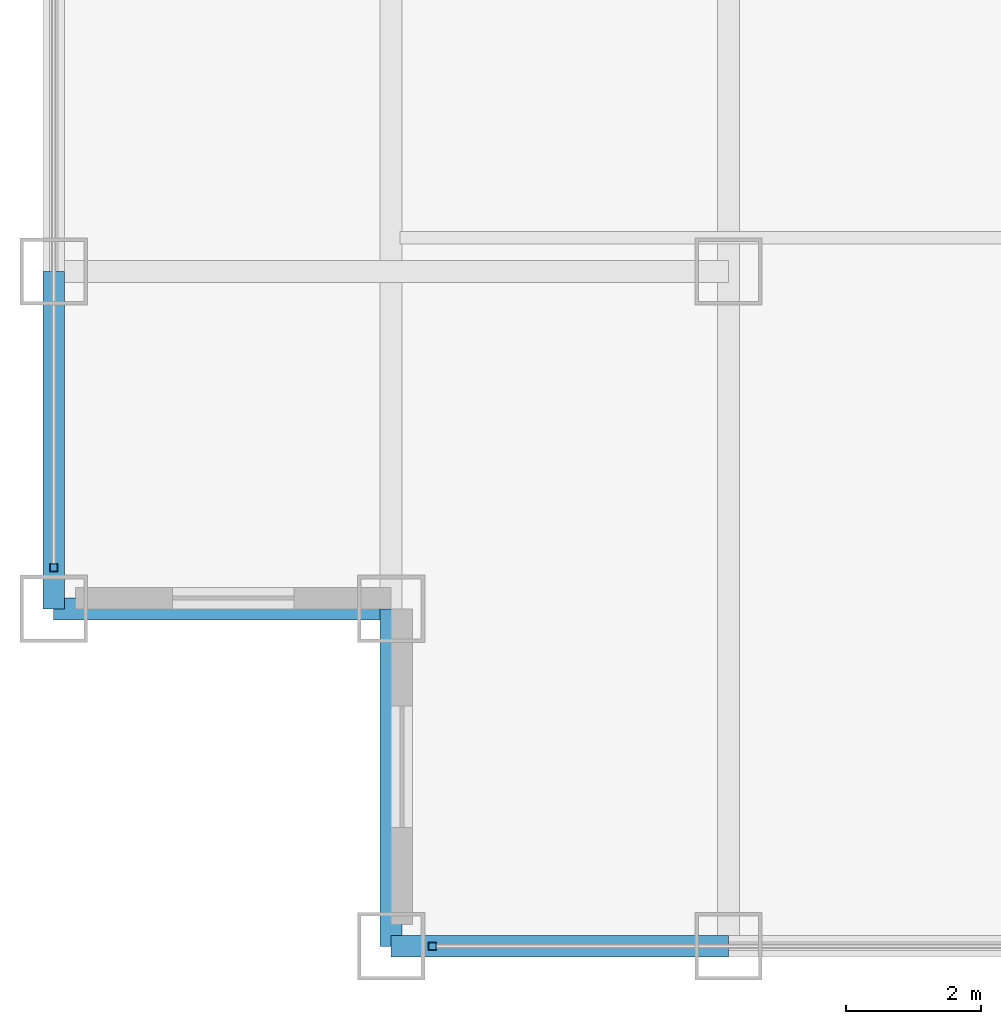
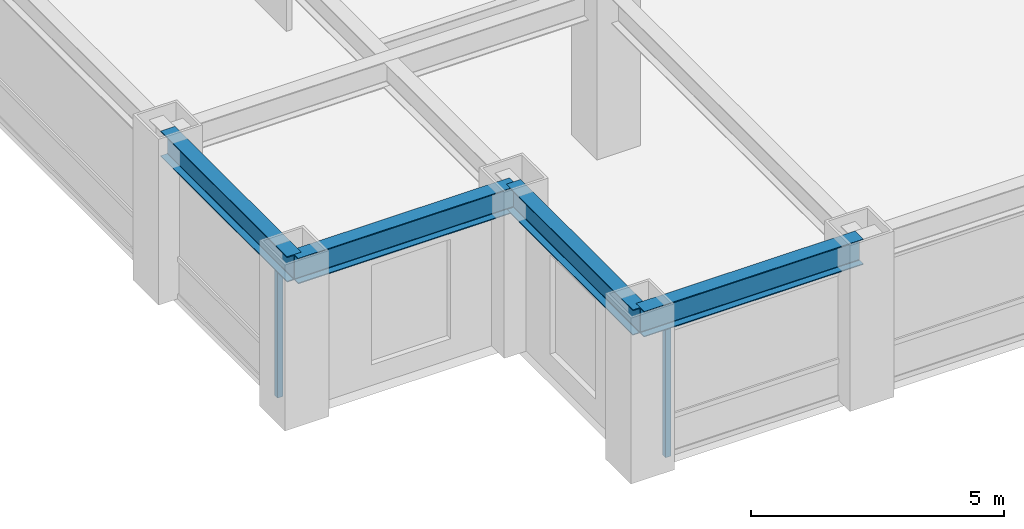
# One storey, part 2 of 25: 4 beams, 2 members, 2 elements without a shape of their own.
"""IFC4 building model written with IfcOpenShell, lengths in metres."""

from ifc_helpers import new_model, si_unit, direction, frame, origin, origin_2d, place, context, subcontext, project, spatial, hollow_rectangle, i_section, extrude, source, transform, mapped, material, material_profile, profile_set, type_object, element, aggregate, save


model = new_model("IFC4")

# Units and contexts
model_context = context("Model", 3, precision=1e-05, world=origin(), true_north=direction((0.0, 1.0)))
body_context = subcontext(model_context, "Body", "Model", "MODEL_VIEW")
ifc_project = project(units=[si_unit("LENGTHUNIT", "METRE"), si_unit("AREAUNIT", "SQUARE_METRE"), si_unit("VOLUMEUNIT", "CUBIC_METRE"), si_unit("PLANEANGLEUNIT", "RADIAN"), si_unit("MASSUNIT", "GRAM", prefix="KILO")], contexts=[model_context])

# Site, building, storey
site_placement = place(None, origin())
site = spatial("IfcSite", under=ifc_project, at=site_placement, CompositionType="ELEMENT")
building_placement = place(site_placement, origin())
building = spatial("IfcBuilding", under=site, at=building_placement, Name="Khorayat Bourse Tower", CompositionType="ELEMENT")
storey_placement = place(building_placement, frame((0.0, 0.0, 227.10009765625)))
storey = spatial("IfcBuildingStorey", under=building, at=storey_placement, Name="L53", CompositionType="ELEMENT", Elevation=227.10009765625)

# Beams
ifc_material_1 = material(Name="Steel ASTM A992 Grade 50", Category="steel")
ifc_material_profile_1 = material_profile(ifc_material_1, i_section(OverallWidth=0.324951171875, OverallDepth=0.615966796875, WebThickness=0.013916015625, FlangeThickness=0.021484375, FilletRadius=0.01611328125, at=origin_2d()), Name="W610X174")
ifc_profile_set_1 = profile_set([ifc_material_profile_1], Name="Steel ASTM A992 Grade 50")
beam_type = type_object("IfcBeamType", Name="BM-SPAN-610", PredefinedType="SPANDREL", material=ifc_profile_set_1)
shared_shape_1 = source(origin(), body_context, "Body", "SweptSolid", [
    extrude(i_section(OverallWidth=0.324951171875, OverallDepth=0.615966796875, WebThickness=0.013916015625, FlangeThickness=0.021484375, FilletRadius=0.01611328125, at=origin_2d()), origin(), (0.0, 0.0, 1.0), 5.0),
])
for number, where, z_axis, x_axis, name in (
    (1, (-25.0, -30.0, 3.471923828125), (1.0, 0.0, 0.0), (0.0, 1.0, 0.0), "L53 BM-SPAN-610 BM-L53-SPN-024"),
    (2, (-30.0, -25.0, 3.471923828125), (0.0, 1.0, 0.0), (-1.0, 0.0, 0.0), "L53 BM-SPAN-610 BM-L53-SPN-061"),
    (3, (-30.0, -25.0, 3.471923828125), (1.0, 0.0, 0.0), (0.0, 1.0, 0.0), "L53 BM-SPAN-610 BM-L53-SPN-062"),
    (4, (-25.0, -30.0, 3.471923828125), (0.0, 1.0, 0.0), (-1.0, 0.0, 0.0), "L53 BM-SPAN-610 BM-L53-SPN-063"),
):
    element("IfcBeam", number, at=place(storey_placement, frame(where, z_axis=z_axis, x_axis=x_axis)), inside=storey, type_object=beam_type, Name=name, PredefinedType="SPANDREL", context=body_context, shape_type="MappedRepresentation", body=[
        mapped(shared_shape_1, transform((0.0, 0.0, 0.0), scale=1.0)),
    ])

# Curtain wall, member
ifc_material_2 = material(Name="Aluminium EN AW-6063 T6", Category="aluminium")
curtain_wall_type = type_object("IfcCurtainWallType", Name="CW-SYS-03", PredefinedType="NOTDEFINED", material=ifc_material_2)
curtain_wall_1_placement = place(storey_placement, origin())
curtain_wall_1 = element("IfcCurtainWall", 5, at=curtain_wall_1_placement, inside=storey, type_object=curtain_wall_type, Name="L53 Curtain Wall CW-L53-S1", PredefinedType="NOTDEFINED")
ifc_material_profile_2 = material_profile(ifc_material_2, hollow_rectangle(XDim=0.1201171875, YDim=0.1201171875, WallThickness=0.0048828125, at=origin_2d()), Name="ALU 120x120x5")
ifc_profile_set_2 = profile_set([ifc_material_profile_2], Name="Aluminium EN AW-6063 T6")
member_type = type_object("IfcMemberType", Name="CWM-VERT-120", PredefinedType="MULLION", material=ifc_profile_set_2)
shared_shape_2 = source(origin(), body_context, "Body", "SweptSolid", [
    extrude(hollow_rectangle(XDim=0.1201171875, YDim=0.1201171875, WallThickness=0.0048828125, at=origin_2d()), origin(), (0.0, 0.0, 1.0), 3.1298828125),
])
member_1_placement = place(storey_placement, frame((-24.389892578125, -30.0, 0.0), z_axis=(0.0, 0.0, 1.0), x_axis=(0.0, 1.0, 0.0)))
member_1 = element("IfcMember", 6, at=member_1_placement, type_object=member_type, Name="CW-L53-S1 Vertical Mullion 1", PredefinedType="MULLION", context=body_context, shape_type="MappedRepresentation", body=[
    mapped(shared_shape_2, transform((0.0, 0.0, 0.0), scale=1.0)),
])
aggregate(curtain_wall_1, [member_1])

curtain_wall_2_placement = place(storey_placement, origin())
curtain_wall_2 = element("IfcCurtainWall", 7, at=curtain_wall_2_placement, inside=storey, type_object=curtain_wall_type, Name="L53 Curtain Wall CW-L53-W1", PredefinedType="NOTDEFINED")
member_2_placement = place(storey_placement, frame((-30.0, -24.389892578125, 0.0), z_axis=(0.0, 0.0, 1.0), x_axis=(-1.0, 0.0, 0.0)))
member_2 = element("IfcMember", 8, at=member_2_placement, type_object=member_type, Name="CW-L53-W1 Vertical Mullion 1", PredefinedType="MULLION", context=body_context, shape_type="MappedRepresentation", body=[
    mapped(shared_shape_2, transform((0.0, 0.0, 0.0), scale=1.0)),
])
aggregate(curtain_wall_2, [member_2])

save(model, "model.ifc")
